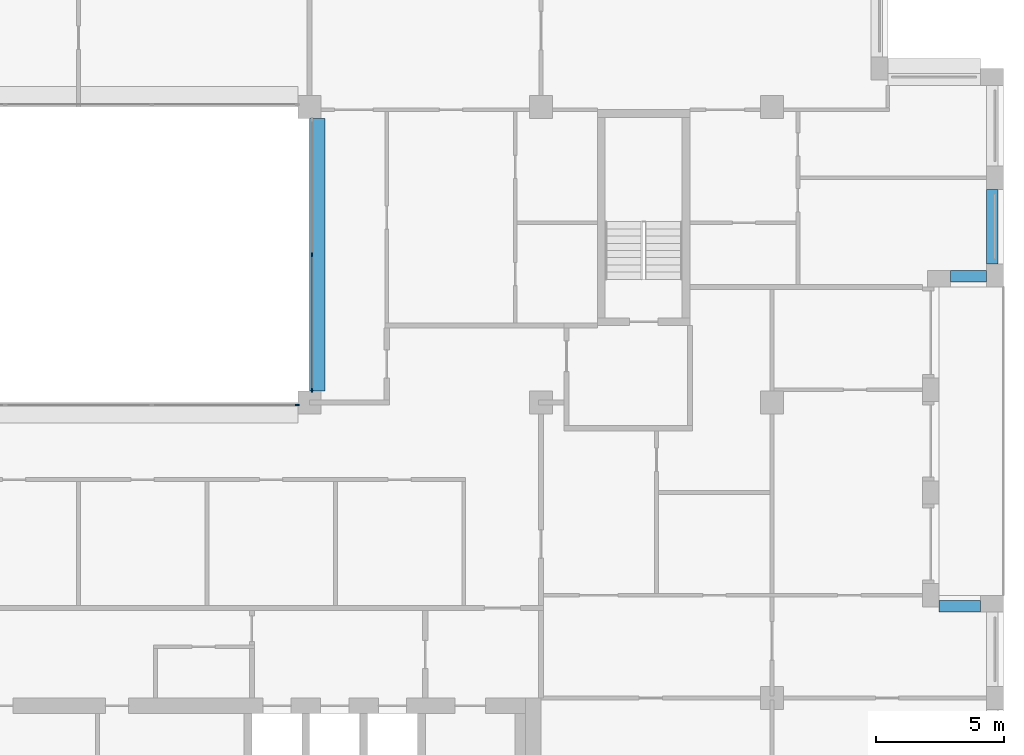
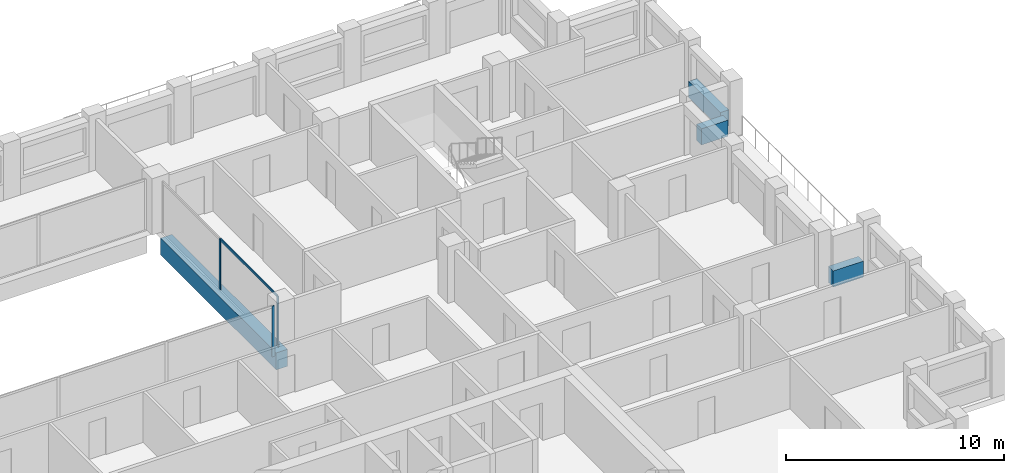
# One storey, part 4 of 15: 4 beams, 4 members, 2 elements without a shape of their own.
"""IFC4 building model written with IfcOpenShell, lengths in metres."""

from ifc_helpers import new_model, si_unit, direction, frame, origin, origin_2d, place, context, subcontext, project, spatial, rectangle, extrude, material, layer, layer_set, material_profile, profile_set, type_object, element, aggregate, save


model = new_model("IFC4")

# Units and contexts
model_context = context("Model", 3, precision=1e-05, world=origin(), true_north=direction((0.0, 1.0)))
body_context = subcontext(model_context, "Body", "Model", "MODEL_VIEW")
ifc_project = project(units=[si_unit("LENGTHUNIT", "METRE"), si_unit("AREAUNIT", "SQUARE_METRE"), si_unit("VOLUMEUNIT", "CUBIC_METRE"), si_unit("PLANEANGLEUNIT", "RADIAN"), si_unit("MASSUNIT", "GRAM", prefix="KILO")], contexts=[model_context])

# Site, building, storey
site_placement = place(None, origin())
site = spatial("IfcSite", under=ifc_project, at=site_placement, CompositionType="ELEMENT")
building_placement = place(site_placement, origin())
building = spatial("IfcBuilding", under=site, at=building_placement, Name="Brigalow Station Residences", CompositionType="ELEMENT")
storey_placement = place(building_placement, frame((0.0, 0.0, 210.60009765625)))
storey = spatial("IfcBuildingStorey", under=building, at=storey_placement, Name="L60", CompositionType="ELEMENT", Elevation=210.60009765625)

# Beam
ifc_material_1 = material(Name="Concrete C65", Category="concrete")
ifc_material_profile_1 = material_profile(ifc_material_1, rectangle(XDim=0.60009765625, YDim=0.949951171875, at=origin_2d()), Name="RC600x950")
ifc_profile_set_1 = profile_set([ifc_material_profile_1], Name="Concrete C65")
beam_type_1 = type_object("IfcBeamType", Name="ATRIUM EDGE GIRDER 600x950 C65", PredefinedType="BEAM", material=ifc_profile_set_1)
beam_1_placement = place(storey_placement, frame((45.300048828125, 24.449951171875, -0.795166015625), z_axis=(0.0, 1.0, 0.0), x_axis=(-1.0, 0.0, 0.0)))
element("IfcBeam", 1, at=beam_1_placement, inside=storey, type_object=beam_type_1, Name="ATRIUM EDGE GIRDER 5 L60", PredefinedType="BEAM", context=body_context, shape_type="SweptSolid", body=[
    extrude(rectangle(XDim=0.60009765625, YDim=0.949951171875, at=origin_2d()), origin(), (0.0, 0.0, 1.0), 10.60009765625),
])

# Curtain wall, member
ifc_material_2 = material(Name="Aluminium", Category="aluminium")
ifc_layer = layer(ifc_material_2, 0.14990234375)
ifc_layer_set = layer_set([ifc_layer], Name="ATRIUM FIRE-RATED GLAZING CURTAIN WALL")
curtain_wall_type = type_object("IfcCurtainWallType", Name="ATRIUM FIRE-RATED GLAZING CURTAIN WALL", PredefinedType="NOTDEFINED", material=ifc_layer_set)
curtain_wall_1_placement = place(storey_placement, origin())
curtain_wall_1 = element("IfcCurtainWall", 2, at=curtain_wall_1_placement, inside=storey, type_object=curtain_wall_type, Name="L60/cw/atrium-S", PredefinedType="NOTDEFINED")
ifc_material_3 = material(Name="Aluminium", Category="aluminium")
ifc_material_profile_2 = material_profile(ifc_material_3, rectangle(XDim=0.06005859375, YDim=0.14990234375, at=origin_2d()), Name="ATRIUM FIRE-RATED GLAZING MULLION 60x150")
ifc_profile_set_2 = profile_set([ifc_material_profile_2], Name="Aluminium")
member_type_1 = type_object("IfcMemberType", Name="ATRIUM FIRE-RATED GLAZING MULLION 60x150", PredefinedType="MULLION", material=ifc_profile_set_2)
member_1_placement = place(storey_placement, frame((44.52001953125, 23.89990234375, 0.0), z_axis=(0.0, 0.0, 1.0), x_axis=(0.0, 1.0, 0.0)))
member_1 = element("IfcMember", 3, at=member_1_placement, type_object=member_type_1, Name="L60/cw/atrium-S/M03", PredefinedType="MULLION", context=body_context, shape_type="SweptSolid", body=[
    extrude(rectangle(XDim=0.06005859375, YDim=0.14990234375, at=origin_2d()), origin(), (0.0, 0.0, 1.0), 2.829833984375),
])
aggregate(curtain_wall_1, [member_1])

# Curtain wall, members
curtain_wall_2_placement = place(storey_placement, origin())
curtain_wall_2 = element("IfcCurtainWall", 4, at=curtain_wall_2_placement, inside=storey, type_object=curtain_wall_type, Name="L60/cw/atrium-E", PredefinedType="NOTDEFINED")
member_2_placement = place(storey_placement, frame((45.10009765625, 24.47998046875, 0.0), z_axis=(0.0, 0.0, 1.0), x_axis=(-1.0, 0.0, 0.0)))
member_2 = element("IfcMember", 5, at=member_2_placement, type_object=member_type_1, Name="L60/cw/atrium-E/M00", PredefinedType="MULLION", context=body_context, shape_type="SweptSolid", body=[
    extrude(rectangle(XDim=0.06005859375, YDim=0.14990234375, at=origin_2d()), origin(), (0.0, 0.0, 1.0), 2.829833984375),
])
member_3_placement = place(storey_placement, frame((45.10009765625, 29.75, 0.0), z_axis=(0.0, 0.0, 1.0), x_axis=(-1.0, 0.0, 0.0)))
member_3 = element("IfcMember", 6, at=member_3_placement, type_object=member_type_1, Name="L60/cw/atrium-E/M01", PredefinedType="MULLION", context=body_context, shape_type="SweptSolid", body=[
    extrude(rectangle(XDim=0.06005859375, YDim=0.14990234375, at=origin_2d()), origin(), (0.0, 0.0, 1.0), 2.829833984375),
])
ifc_material_4 = material(Name="Aluminium", Category="aluminium")
ifc_material_profile_3 = material_profile(ifc_material_4, rectangle(XDim=0.06005859375, YDim=0.1201171875, at=origin_2d()), Name="ATRIUM FIRE-RATED GLAZING TRANSOM 60x120")
ifc_profile_set_3 = profile_set([ifc_material_profile_3], Name="Aluminium")
member_type_2 = type_object("IfcMemberType", Name="ATRIUM FIRE-RATED GLAZING TRANSOM 60x120", PredefinedType="USERDEFINED", material=ifc_profile_set_3)
member_4_placement = place(storey_placement, frame((45.10009765625, 24.510009765625, 2.7998046875), z_axis=(0.0, 1.0, 0.0), x_axis=(-1.0, 0.0, 0.0)))
member_4 = element("IfcMember", 7, at=member_4_placement, type_object=member_type_2, Name="L60/cw/atrium-E/T00-00", ObjectType="TRANSOM", PredefinedType="USERDEFINED", context=body_context, shape_type="SweptSolid", body=[
    extrude(rectangle(XDim=0.06005859375, YDim=0.1201171875, at=origin_2d()), origin(), (0.0, 0.0, 1.0), 5.2099609375),
])
aggregate(curtain_wall_2, [member_2, member_3, member_4])

# Beams
ifc_material_5 = material(Name="Concrete C50", Category="concrete")
ifc_material_profile_4 = material_profile(ifc_material_5, rectangle(XDim=0.449951171875, YDim=0.89990234375, at=origin_2d()), Name="RC450x900")
ifc_profile_set_4 = profile_set([ifc_material_profile_4], Name="Concrete C50")
beam_type_2 = type_object("IfcBeamType", Name="SPANDREL BEAM 450x900 C50", PredefinedType="SPANDREL", material=ifc_profile_set_4)
beam_2_placement = place(storey_placement, frame((71.10009765625, 16.074951171875, 0.449951171875), z_axis=(-1.0, 0.0, 0.0), x_axis=(0.0, -1.0, 0.0)))
element("IfcBeam", 8, at=beam_2_placement, inside=storey, type_object=beam_type_2, Name="L60/spandrel/W-L60-11", PredefinedType="SPANDREL", context=body_context, shape_type="SweptSolid", body=[
    extrude(rectangle(XDim=0.449951171875, YDim=0.89990234375, at=origin_2d()), origin(), (0.0, 0.0, 1.0), 1.60009765625),
])
beam_3_placement = place(storey_placement, frame((69.949951171875, 28.925048828125, 0.449951171875), z_axis=(1.0, 0.0, 0.0), x_axis=(0.0, 1.0, 0.0)))
element("IfcBeam", 9, at=beam_3_placement, inside=storey, type_object=beam_type_2, Name="L60/spandrel/W-L60-15", PredefinedType="SPANDREL", context=body_context, shape_type="SweptSolid", body=[
    extrude(rectangle(XDim=0.449951171875, YDim=0.89990234375, at=origin_2d()), origin(), (0.0, 0.0, 1.0), 1.400146484375),
])
beam_4_placement = place(storey_placement, frame((71.574951171875, 29.39990234375, 0.449951171875), z_axis=(0.0, 1.0, 0.0), x_axis=(-1.0, 0.0, 0.0)))
element("IfcBeam", 10, at=beam_4_placement, inside=storey, type_object=beam_type_2, Name="L60/spandrel/W-L60-16", PredefinedType="SPANDREL", context=body_context, shape_type="SweptSolid", body=[
    extrude(rectangle(XDim=0.449951171875, YDim=0.89990234375, at=origin_2d()), origin(), (0.0, 0.0, 1.0), 2.900146484375),
])

save(model, "model.ifc")
